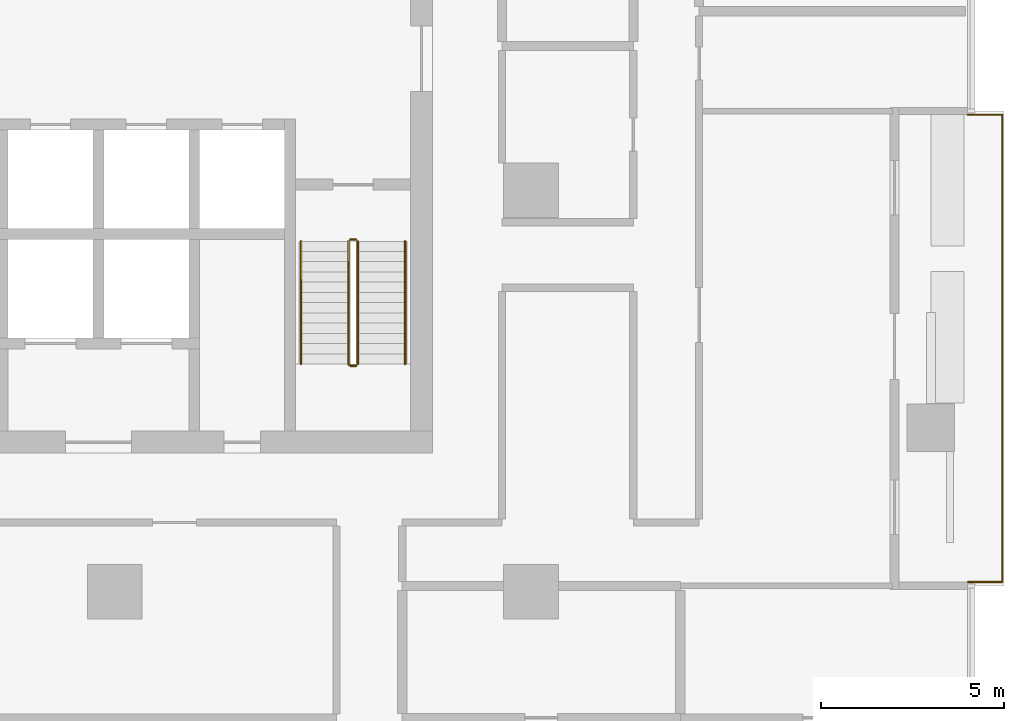
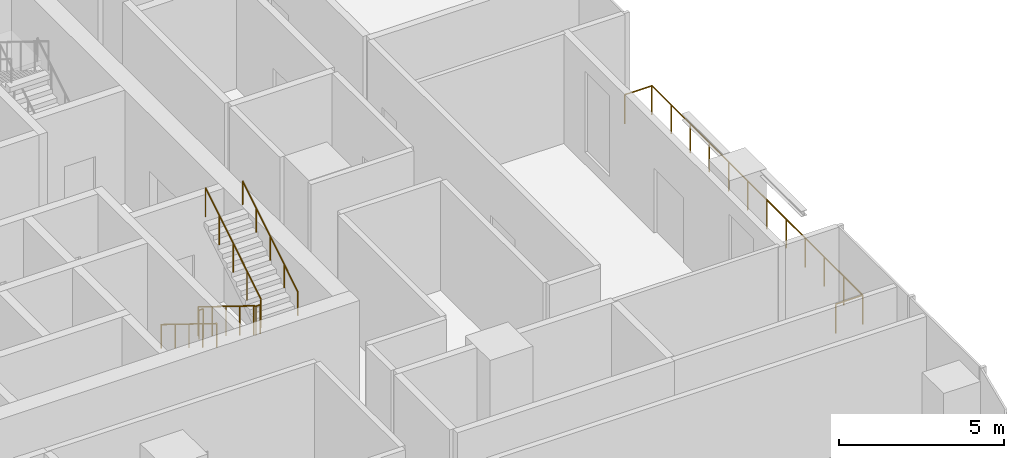
# One storey, part 13 of 14: 6 railings.
"""IFC4 building model written with IfcOpenShell, lengths in metres."""

import ifcopenshell
import ifcopenshell.guid

model = None  # the IFC model being written
_history = None  # IfcOwnerHistory: only IFC2X3 demands one
_inside = {}  # id of a spatial element -> (the spatial element, [elements in it])
_under = {}  # id of a project, library or spatial element -> (it, [spatial elements below it])
_declared = {}  # id of a project -> (the project, [libraries it declares])
_typed = {}  # id of a type object -> (the type object, [elements of that type])
_made_of = {}  # id of a material, layer set ... -> (it, [elements and type objects made of it])


def new_model(schema):
    """Start an empty IFC model of exactly this schema.

    Asked for "IFC4X3", IfcOpenShell would pick the latest addendum, in which some entities
    have other attributes; the version numbers below select the first issue.
    IFC2X3 requires an IfcOwnerHistory on every rooted entity: one is made here for all.
    """
    global model, _history
    if schema == "IFC4X3":
        model = ifcopenshell.file(schema_version=(4, 3, 0, 0))
    else:
        model = ifcopenshell.file(schema=schema)
    _inside.clear()
    _under.clear()
    _declared.clear()
    _typed.clear()
    _made_of.clear()
    _history = None
    if model.schema == "IFC2X3":
        org = make("IfcOrganization", Name="unknown")
        user = make(
            "IfcPersonAndOrganization",
            ThePerson=make("IfcPerson", FamilyName="unknown"),
            TheOrganization=org,
        )
        app = make(
            "IfcApplication",
            ApplicationDeveloper=org,
            Version="unknown",
            ApplicationFullName="unknown",
            ApplicationIdentifier="unknown",
        )
        _history = make(
            "IfcOwnerHistory",
            OwningUser=user,
            OwningApplication=app,
            ChangeAction="ADDED",
            CreationDate=0,
        )
    return model


def make(cls, **values):
    """One entity of the class cls with the attributes given. An attribute that is None is left unset."""
    return model.create_entity(
        cls, **{name: value for name, value in values.items() if value is not None}
    )


def rooted(cls, **values):
    """An entity with a GlobalId (a new one), such as an element, a storey or a relation."""
    return make(cls, GlobalId=ifcopenshell.guid.new(), OwnerHistory=_history, **values)


def si_unit(unit_type, name, prefix=None):
    """IfcSIUnit, for example si_unit("LENGTHUNIT", "METRE", prefix="MILLI")."""
    return make("IfcSIUnit", UnitType=unit_type, Prefix=prefix, Name=name)


def assignment(units):
    """IfcUnitAssignment: the units of a project."""
    return None if units is None else make("IfcUnitAssignment", Units=units)


def point(xyz):
    """IfcCartesianPoint."""
    return None if xyz is None else make("IfcCartesianPoint", Coordinates=xyz)


def direction(xyz):
    """IfcDirection."""
    return None if xyz is None else make("IfcDirection", DirectionRatios=xyz)


def frame(location, z_axis=None, x_axis=None):
    """IfcAxis2Placement3D, a coordinate frame: its origin and axes. An axis left out is left unset."""
    return make(
        "IfcAxis2Placement3D",
        Location=point(location),
        Axis=direction(z_axis),
        RefDirection=direction(x_axis),
    )


def frame_2d(location, x_axis=None):
    """IfcAxis2Placement2D, a coordinate frame in the plane: its origin and x axis."""
    return make(
        "IfcAxis2Placement2D", Location=point(location), RefDirection=direction(x_axis)
    )


def origin():
    """The frame at (0, 0, 0) with its axes left unset."""
    return frame((0.0, 0.0, 0.0))


def origin_2d():
    """The frame at (0, 0) in the plane with its x axis left unset."""
    return frame_2d((0.0, 0.0))


def place(relative_to, where):
    """IfcLocalPlacement: puts the frame where relative to a parent placement (None: the world)."""
    return make(
        "IfcLocalPlacement", PlacementRelTo=relative_to, RelativePlacement=where
    )


def context(
    kind, dimensions, precision=None, world=None, true_north=None, identifier=None
):
    """IfcGeometricRepresentationContext, for example the 3D "Model" context."""
    return make(
        "IfcGeometricRepresentationContext",
        ContextIdentifier=identifier,
        ContextType=kind,
        CoordinateSpaceDimension=dimensions,
        Precision=precision,
        WorldCoordinateSystem=world,
        TrueNorth=true_north,
    )


def subcontext(parent, identifier, kind, view, scale=None):
    """IfcGeometricRepresentationSubContext, for example "Body" below "Model"."""
    return make(
        "IfcGeometricRepresentationSubContext",
        ContextIdentifier=identifier,
        ContextType=kind,
        ParentContext=parent,
        TargetScale=scale,
        TargetView=view,
    )


def project(units=None, contexts=None):
    """IfcProject with its units and contexts."""
    return rooted(
        "IfcProject",
        Name="project",
        RepresentationContexts=contexts,
        UnitsInContext=assignment(units),
    )


def spatial(cls, under=None, at=None, **own):
    """A site, building, storey or space (cls), placed at a placement, below another one or the project."""
    s = rooted(cls, ObjectPlacement=at, **own)
    if under is not None:
        _under.setdefault(under.id(), (under, []))[1].append(s)
    return s


def profile(cls, at=None, kind="AREA", **sizes):
    """A parametric profile (cls). Its sizes go by their IFC names, for example OverallWidth=200.0."""
    return make(cls, ProfileType=kind, Position=at, **sizes)


def circle(**sizes):
    """IfcCircleProfileDef."""
    return profile("IfcCircleProfileDef", **sizes)


def extrude(swept, where, along, depth):
    """IfcExtrudedAreaSolid: the profile swept, set in the frame where, extruded along a direction by depth."""
    return make(
        "IfcExtrudedAreaSolid",
        SweptArea=swept,
        Position=where,
        ExtrudedDirection=direction(along),
        Depth=depth,
    )


def shape(context_of_items, identifier, shape_type, items):
    """IfcShapeRepresentation: the items that make up one representation, for example the "Body"."""
    return make(
        "IfcShapeRepresentation",
        ContextOfItems=context_of_items,
        RepresentationIdentifier=identifier,
        RepresentationType=shape_type,
        Items=items,
    )


def material(Name=None, Category=None):
    """IfcMaterial."""
    return make("IfcMaterial", Name=Name, Category=Category)


def made_of(thing, what):
    """Note that an element or type object is made of a material, layer set ...; save() writes the relation."""
    if what is not None:
        _made_of.setdefault(what.id(), (what, []))[1].append(thing)
    return thing


def type_object(cls, material=None, **own):
    """A type object (cls), such as IfcWallType, which elements share."""
    return made_of(rooted(cls, **own), material)


def element(
    cls,
    number,
    at=None,
    inside=None,
    cuts=None,
    type_object=None,
    material=None,
    context=None,
    identifier="Body",
    shape_type=None,
    held_by="IfcProductDefinitionShape",
    body=None,
    shapes=None,
    **own,
):
    """One element of the class cls, such as IfcWall. Its Tag is "e" and its number.

    at: its placement. inside: the storey or other place that contains it. cuts: it is an
    opening in that element (IfcRelVoidsElement). A single representation is given by context,
    identifier, shape_type and body (its items); several are given by shapes. held_by: the class
    of the entity that holds the representations. save() writes the other relations.
    """
    e = rooted(cls, Tag="e%d" % number, ObjectPlacement=at, **own)
    if body is not None:
        shapes = [shape(context, identifier, shape_type, body)]
    if shapes is not None:
        e.Representation = make(held_by, Representations=shapes)
    if inside is not None:
        _inside.setdefault(inside.id(), (inside, []))[1].append(e)
    if cuts is not None:
        rooted(
            "IfcRelVoidsElement", RelatingBuildingElement=cuts, RelatedOpeningElement=e
        )
    if type_object is not None:
        _typed.setdefault(type_object.id(), (type_object, []))[1].append(e)
    return made_of(e, material)


def aggregate(whole, parts):
    """IfcRelAggregates: a whole, such as a stair, and the parts it consists of."""
    return rooted("IfcRelAggregates", RelatingObject=whole, RelatedObjects=parts)


def save(model, path):
    """Write the relations noted so far, then the file.

    IfcRelAggregates (storeys below a building ...), IfcRelContainedInSpatialStructure (elements
    in a storey), IfcRelDefinesByType, IfcRelAssociatesMaterial and IfcRelDeclares: one each for
    every whole, place, type object, material and project.
    """
    for whole, parts in _under.values():
        aggregate(whole, parts)
    for where, things in _inside.values():
        rooted(
            "IfcRelContainedInSpatialStructure",
            RelatedElements=things,
            RelatingStructure=where,
        )
    for kind, things in _typed.values():
        rooted("IfcRelDefinesByType", RelatedObjects=things, RelatingType=kind)
    for what, things in _made_of.values():
        rooted("IfcRelAssociatesMaterial", RelatedObjects=things, RelatingMaterial=what)
    for by, libraries in _declared.values():
        rooted("IfcRelDeclares", RelatingContext=by, RelatedDefinitions=libraries)
    model.write(path)


model = new_model("IFC4")

# Units and contexts
model_context = context("Model", 3, precision=1e-05, world=origin(), true_north=direction((0.0, 1.0)))
body_context = subcontext(model_context, "Body", "Model", "MODEL_VIEW")
ifc_project = project(units=[si_unit("LENGTHUNIT", "METRE"), si_unit("AREAUNIT", "SQUARE_METRE"), si_unit("VOLUMEUNIT", "CUBIC_METRE"), si_unit("PLANEANGLEUNIT", "RADIAN"), si_unit("MASSUNIT", "GRAM", prefix="KILO")], contexts=[model_context])

# Site, building, storey
site_placement = place(None, origin())
site = spatial("IfcSite", under=ifc_project, at=site_placement, CompositionType="ELEMENT")
building_placement = place(site_placement, origin())
building = spatial("IfcBuilding", under=site, at=building_placement, Name="Mopane Tessera Tower", CompositionType="ELEMENT")
storey_placement = place(building_placement, frame((0.0, 0.0, 126.10009765625)))
storey = spatial("IfcBuildingStorey", under=building, at=storey_placement, Name="L25", CompositionType="ELEMENT", Elevation=126.10009765625)

# Railings
ifc_material_1 = material(Name="Powder-coated steel balustrade", Category="steel")
railing_type_1 = type_object("IfcRailingType", Name="Escape stair guard 1100 mm", PredefinedType="GUARDRAIL", material=ifc_material_1)
railing_1_placement = place(storey_placement, frame((12.10009765625, -1.39990234375, 0.173095703125)))
element("IfcRailing", 1, at=railing_1_placement, inside=storey, type_object=railing_type_1, Name="L25 ST3 stair guard 1", PredefinedType="GUARDRAIL", context=body_context, shape_type="SweptSolid", body=[
    extrude(circle(Radius=0.02392578125, at=origin_2d()), frame((0.0, 0.0, 1.076171875), z_axis=(0.0, -0.850623216509, 0.525775754039), x_axis=(1.0, 0.0, 0.0)), (0.0, 0.0, 1.0), 3.9501953125),
    extrude(circle(Radius=0.02392578125, at=origin_2d()), frame((0.0, -3.360107421875, 3.15283203125), z_axis=(0.705375805398, -0.708833529934, 0.0), x_axis=(0.708833529934, 0.705375805398, 0.0)), (0.0, 0.0, 1.0), 0.070556640625),
    extrude(circle(Radius=0.02392578125, at=origin_2d()), frame((0.0498046875, -3.41015625, 3.15283203125), z_axis=(1.0, 0.0, 0.0), x_axis=(0.0, 1.0, 0.0)), (0.0, 0.0, 1.0), 0.150146484375),
    extrude(circle(Radius=0.02099609375, at=origin_2d()), origin(), (0.0, 0.0, 1.0), 1.052001953125),
    extrude(circle(Radius=0.02099609375, at=origin_2d()), frame((0.0, -0.840087890625, 0.519287109375)), (0.0, 0.0, 1.0), 1.052001953125),
    extrude(circle(Radius=0.02099609375, at=origin_2d()), frame((0.0, -1.68017578125, 1.03857421875)), (0.0, 0.0, 1.0), 1.052001953125),
    extrude(circle(Radius=0.02099609375, at=origin_2d()), frame((0.0, -2.52001953125, 1.5576171875)), (0.0, 0.0, 1.0), 1.052001953125),
    extrude(circle(Radius=0.02099609375, at=origin_2d()), frame((0.0, -3.360107421875, 2.076904296875)), (0.0, 0.0, 1.0), 1.052001953125),
    extrude(circle(Radius=0.02099609375, at=origin_2d()), frame((0.0498046875, -3.41015625, 2.076904296875)), (0.0, 0.0, 1.0), 1.052001953125),
    extrude(circle(Radius=0.02099609375, at=origin_2d()), frame((0.199951171875, -3.41015625, 2.076904296875)), (0.0, 0.0, 1.0), 1.052001953125),
])
railing_2_placement = place(storey_placement, frame((12.35009765625, -4.760009765625, 2.423095703125)))
element("IfcRailing", 2, at=railing_2_placement, inside=storey, type_object=railing_type_1, Name="L25 ST3 stair guard 2", PredefinedType="GUARDRAIL", context=body_context, shape_type="SweptSolid", body=[
    extrude(circle(Radius=0.02392578125, at=origin_2d()), frame((0.0, 0.0, 1.076171875), z_axis=(0.0, 0.850623216509, 0.525775754039), x_axis=(-1.0, 0.0, 0.0)), (0.0, 0.0, 1.0), 3.9501953125),
    extrude(circle(Radius=0.02099609375, at=origin_2d()), origin(), (0.0, 0.0, 1.0), 1.052001953125),
    extrude(circle(Radius=0.02099609375, at=origin_2d()), frame((0.0, 0.840087890625, 0.519287109375)), (0.0, 0.0, 1.0), 1.052001953125),
    extrude(circle(Radius=0.02099609375, at=origin_2d()), frame((0.0, 1.68017578125, 1.03857421875)), (0.0, 0.0, 1.0), 1.052001953125),
    extrude(circle(Radius=0.02099609375, at=origin_2d()), frame((0.0, 2.52001953125, 1.5576171875)), (0.0, 0.0, 1.0), 1.052001953125),
    extrude(circle(Radius=0.02099609375, at=origin_2d()), frame((0.0, 3.360107421875, 2.076904296875)), (0.0, 0.0, 1.0), 1.052001953125),
])
railing_3_placement = place(storey_placement, frame((12.14990234375, -1.35009765625, 0.0)))
element("IfcRailing", 3, at=railing_3_placement, inside=storey, type_object=railing_type_1, Name="L25 ST3 stair guard 3", PredefinedType="GUARDRAIL", context=body_context, shape_type="SweptSolid", body=[
    extrude(circle(Radius=0.02392578125, at=origin_2d()), frame((0.0, 0.0, 1.076171875), z_axis=(1.0, 0.0, 0.0), x_axis=(0.0, 1.0, 0.0)), (0.0, 0.0, 1.0), 0.150146484375),
    extrude(circle(Radius=0.02099609375, at=origin_2d()), origin(), (0.0, 0.0, 1.0), 1.052001953125),
    extrude(circle(Radius=0.02099609375, at=origin_2d()), frame((0.150146484375, 0.0, 0.0)), (0.0, 0.0, 1.0), 1.052001953125),
])
ifc_material_2 = material(Name="Powder-coated steel balustrade", Category="steel")
railing_type_2 = type_object("IfcRailingType", Name="Escape stair handrail 900 mm", PredefinedType="HANDRAIL", material=ifc_material_2)
railing_4_placement = place(storey_placement, frame((10.800048828125, -1.39990234375, 0.173095703125)))
element("IfcRailing", 4, at=railing_4_placement, inside=storey, type_object=railing_type_2, Name="L25 ST3 stair handrail 1", PredefinedType="HANDRAIL", context=body_context, shape_type="SweptSolid", body=[
    extrude(circle(Radius=0.02392578125, at=origin_2d()), frame((0.0, 0.0, 0.8759765625), z_axis=(0.0, -0.850623216509, 0.525775754039), x_axis=(1.0, 0.0, 0.0)), (0.0, 0.0, 1.0), 3.9501953125),
    extrude(circle(Radius=0.02099609375, at=origin_2d()), origin(), (0.0, 0.0, 1.0), 0.851806640625),
    extrude(circle(Radius=0.02099609375, at=origin_2d()), frame((0.0, -0.840087890625, 0.519287109375)), (0.0, 0.0, 1.0), 0.851806640625),
    extrude(circle(Radius=0.02099609375, at=origin_2d()), frame((0.0, -1.68017578125, 1.03857421875)), (0.0, 0.0, 1.0), 0.851806640625),
    extrude(circle(Radius=0.02099609375, at=origin_2d()), frame((0.0, -2.52001953125, 1.5576171875)), (0.0, 0.0, 1.0), 0.851806640625),
    extrude(circle(Radius=0.02099609375, at=origin_2d()), frame((0.0, -3.360107421875, 2.076904296875)), (0.0, 0.0, 1.0), 0.851806640625),
])
railing_5_placement = place(storey_placement, frame((13.64990234375, -4.760009765625, 2.423095703125)))
element("IfcRailing", 5, at=railing_5_placement, inside=storey, type_object=railing_type_2, Name="L25 ST3 stair handrail 2", PredefinedType="HANDRAIL", context=body_context, shape_type="SweptSolid", body=[
    extrude(circle(Radius=0.02392578125, at=origin_2d()), frame((0.0, 0.0, 0.8759765625), z_axis=(0.0, 0.850623216509, 0.525775754039), x_axis=(-1.0, 0.0, 0.0)), (0.0, 0.0, 1.0), 3.9501953125),
    extrude(circle(Radius=0.02099609375, at=origin_2d()), origin(), (0.0, 0.0, 1.0), 0.851806640625),
    extrude(circle(Radius=0.02099609375, at=origin_2d()), frame((0.0, 0.840087890625, 0.519287109375)), (0.0, 0.0, 1.0), 0.851806640625),
    extrude(circle(Radius=0.02099609375, at=origin_2d()), frame((0.0, 1.68017578125, 1.03857421875)), (0.0, 0.0, 1.0), 0.851806640625),
    extrude(circle(Radius=0.02099609375, at=origin_2d()), frame((0.0, 2.52001953125, 1.5576171875)), (0.0, 0.0, 1.0), 0.851806640625),
    extrude(circle(Radius=0.02099609375, at=origin_2d()), frame((0.0, 3.360107421875, 2.076904296875)), (0.0, 0.0, 1.0), 0.851806640625),
])
ifc_material_3 = material(Name="Stainless steel S316", Category="steel")
railing_type_3 = type_object("IfcRailingType", Name="Terrace guard 1100", PredefinedType="GUARDRAIL", material=ifc_material_3)
railing_6_placement = place(storey_placement, frame((29.050048828125, -10.7333984375, 0.0)))
element("IfcRailing", 6, at=railing_6_placement, inside=storey, type_object=railing_type_3, Name="e:nw:L25:N3:guard", PredefinedType="GUARDRAIL", context=body_context, shape_type="SweptSolid", body=[
    extrude(circle(Radius=0.02392578125, at=origin_2d()), frame((0.0, 0.0, 1.076171875), z_axis=(1.0, 0.0, 0.0), x_axis=(0.0, 1.0, 0.0)), (0.0, 0.0, 1.0), 0.949951171875),
    extrude(circle(Radius=0.02392578125, at=origin_2d()), frame((0.949951171875, 0.0, 1.076171875), z_axis=(0.0, 1.0, 0.0), x_axis=(-1.0, 0.0, 0.0)), (0.0, 0.0, 1.0), 12.800048828125),
    extrude(circle(Radius=0.02392578125, at=origin_2d()), frame((0.949951171875, 12.800048828125, 1.076171875), z_axis=(-1.0, 0.0, 0.0), x_axis=(0.0, -1.0, 0.0)), (0.0, 0.0, 1.0), 0.949951171875),
    extrude(circle(Radius=0.02099609375, at=origin_2d()), origin(), (0.0, 0.0, 1.0), 1.052001953125),
    extrude(circle(Radius=0.02099609375, at=origin_2d()), frame((0.949951171875, 0.0, 0.0)), (0.0, 0.0, 1.0), 1.052001953125),
    extrude(circle(Radius=0.02099609375, at=origin_2d()), frame((0.949951171875, 1.16357421875, 0.0)), (0.0, 0.0, 1.0), 1.052001953125),
    extrude(circle(Radius=0.02099609375, at=origin_2d()), frame((0.949951171875, 2.327392578125, 0.0)), (0.0, 0.0, 1.0), 1.052001953125),
    extrude(circle(Radius=0.02099609375, at=origin_2d()), frame((0.949951171875, 3.490966796875, 0.0)), (0.0, 0.0, 1.0), 1.052001953125),
    extrude(circle(Radius=0.02099609375, at=origin_2d()), frame((0.949951171875, 4.654541015625, 0.0)), (0.0, 0.0, 1.0), 1.052001953125),
    extrude(circle(Radius=0.02099609375, at=origin_2d()), frame((0.949951171875, 5.818115234375, 0.0)), (0.0, 0.0, 1.0), 1.052001953125),
    extrude(circle(Radius=0.02099609375, at=origin_2d()), frame((0.949951171875, 6.98193359375, 0.0)), (0.0, 0.0, 1.0), 1.052001953125),
    extrude(circle(Radius=0.02099609375, at=origin_2d()), frame((0.949951171875, 8.1455078125, 0.0)), (0.0, 0.0, 1.0), 1.052001953125),
    extrude(circle(Radius=0.02099609375, at=origin_2d()), frame((0.949951171875, 9.30908203125, 0.0)), (0.0, 0.0, 1.0), 1.052001953125),
    extrude(circle(Radius=0.02099609375, at=origin_2d()), frame((0.949951171875, 10.47265625, 0.0)), (0.0, 0.0, 1.0), 1.052001953125),
    extrude(circle(Radius=0.02099609375, at=origin_2d()), frame((0.949951171875, 11.636474609375, 0.0)), (0.0, 0.0, 1.0), 1.052001953125),
    extrude(circle(Radius=0.02099609375, at=origin_2d()), frame((0.949951171875, 12.800048828125, 0.0)), (0.0, 0.0, 1.0), 1.052001953125),
    extrude(circle(Radius=0.02099609375, at=origin_2d()), frame((0.0, 12.800048828125, 0.0)), (0.0, 0.0, 1.0), 1.052001953125),
])

save(model, "model.ifc")
